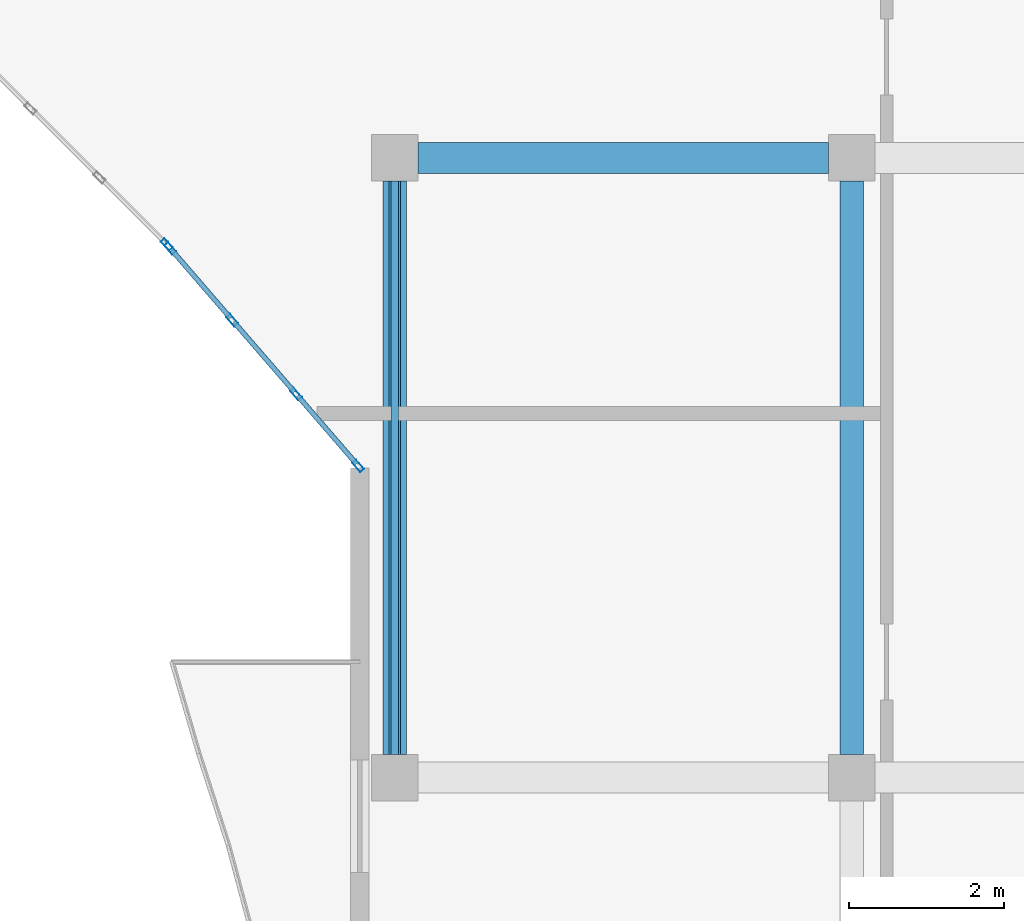
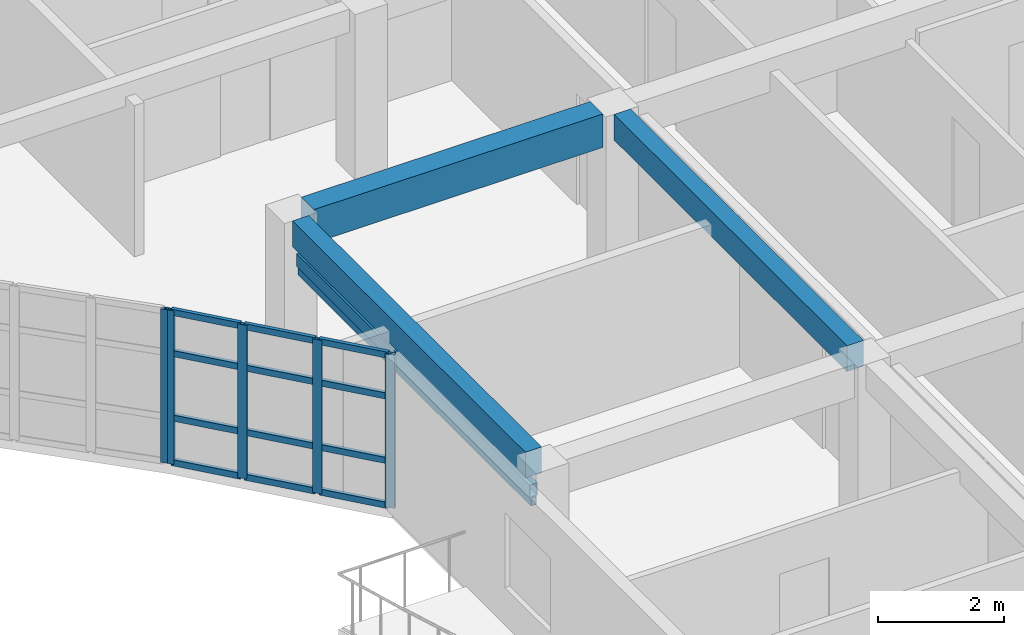
# One storey, part 20 of 79: 19 members, 3 beams, 2 elements without a shape of their own.
"""IFC4 building model written with IfcOpenShell, lengths in metres."""

from ifc_helpers import new_model, si_unit, direction, frame, origin, origin_2d, place, context, subcontext, project, spatial, rectangle, hollow_rectangle, extrude, material, layer, layer_set, material_profile, profile_set, type_object, element, aggregate, save


model = new_model("IFC4")

# Units and contexts
model_context = context("Model", 3, precision=1e-05, world=origin(), true_north=direction((0.0, 1.0)))
body_context = subcontext(model_context, "Body", "Model", "MODEL_VIEW")
ifc_project = project(units=[si_unit("LENGTHUNIT", "METRE"), si_unit("AREAUNIT", "SQUARE_METRE"), si_unit("VOLUMEUNIT", "CUBIC_METRE"), si_unit("PLANEANGLEUNIT", "RADIAN"), si_unit("MASSUNIT", "GRAM", prefix="KILO")], contexts=[model_context])

# Site, building, storey
site_placement = place(None, origin())
site = spatial("IfcSite", under=ifc_project, at=site_placement, CompositionType="ELEMENT")
building_placement = place(site_placement, origin())
building = spatial("IfcBuilding", under=site, at=building_placement, Name="Keldmere Railside Commons", CompositionType="ELEMENT")
storey_placement = place(building_placement, frame((0.0, 0.0, 10.56005859375)))
storey = spatial("IfcBuildingStorey", under=building, at=storey_placement, Name="L03", CompositionType="ELEMENT", Elevation=10.56005859375)

# Member
ifc_material_1 = material(Name="Steel F-36 (S355)", Category="steel")
ifc_material_profile_1 = material_profile(ifc_material_1, hollow_rectangle(XDim=0.14990234375, YDim=0.25, WallThickness=0.010009765625, at=origin_2d()), Name="RHS-250x150x10")
ifc_profile_set_1 = profile_set([ifc_material_profile_1], Name="Steel F-36 (S355)")
member_type_1 = type_object("IfcMemberType", Name="Balcony Continuous Planted Trough RHS250x150", PredefinedType="CHORD", material=ifc_profile_set_1)
member_1_placement = place(storey_placement, frame((104.449951171875, 88.300048828125, 2.4150390625), z_axis=(0.0, 1.0, 0.0), x_axis=(-1.0, 0.0, 0.0)))
element("IfcMember", 1, at=member_1_placement, inside=storey, type_object=member_type_1, Name="PLT-1 MEM-BPLT-0405", PredefinedType="CHORD", context=body_context, shape_type="SweptSolid", body=[
    extrude(hollow_rectangle(XDim=0.14990234375, YDim=0.25, WallThickness=0.010009765625, at=origin_2d()), origin(), (0.0, 0.0, 1.0), 7.39990234375),
])

# Beams
ifc_material_2 = material(Name="Concrete H-30 (C30/37)", Category="concrete")
ifc_material_profile_2 = material_profile(ifc_material_2, rectangle(XDim=0.39990234375, YDim=0.64990234375, at=origin_2d()), Name="RC-400x650")
ifc_profile_set_2 = profile_set([ifc_material_profile_2], Name="Concrete H-30 (C30/37)")
beam_type_1 = type_object("IfcBeamType", Name="Residential Spine RC Girder 400x650", PredefinedType="BEAM", material=ifc_profile_set_2)
beam_placement = place(storey_placement, frame((104.75, 96.0, 2.875), z_axis=(1.0, 0.0, 0.0), x_axis=(0.0, 1.0, 0.0)))
element("IfcBeam", 2, at=beam_placement, inside=storey, type_object=beam_type_1, Name="BG-3 BM-L03-1365", PredefinedType="BEAM", context=body_context, shape_type="SweptSolid", body=[
    extrude(rectangle(XDim=0.39990234375, YDim=0.64990234375, at=origin_2d()), origin(), (0.0, 0.0, 1.0), 5.300048828125),
])
ifc_material_profile_3 = material_profile(ifc_material_2, rectangle(XDim=0.300048828125, YDim=0.5, at=origin_2d()), Name="RC-300x500")
ifc_profile_set_3 = profile_set([ifc_material_profile_3], Name="Concrete H-30 (C30/37)")
beam_type_2 = type_object("IfcBeamType", Name="Secondary Frame RC Beam 300x500", PredefinedType="BEAM", material=ifc_profile_set_3)
for number, where, z_axis, x_axis, name in (
    (3, (104.449951171875, 88.300048828125, 2.949951171875), (0.0, 1.0, 0.0), (-1.0, 0.0, 0.0), "BG-5 BM-L03-1466"),
    (4, (110.35009765625, 88.300048828125, 2.949951171875), (0.0, 1.0, 0.0), (-1.0, 0.0, 0.0), "BG-5 BM-L03-1473"),
):
    element("IfcBeam", number, at=place(storey_placement, frame(where, z_axis=z_axis, x_axis=x_axis)), inside=storey, type_object=beam_type_2, Name=name, PredefinedType="BEAM", context=body_context, shape_type="SweptSolid", body=[
        extrude(rectangle(XDim=0.300048828125, YDim=0.5, at=origin_2d()), origin(), (0.0, 0.0, 1.0), 7.39990234375),
    ])

# Member
ifc_material_profile_4 = material_profile(ifc_material_1, hollow_rectangle(XDim=0.10009765625, YDim=0.159912109375, WallThickness=0.008056640625, at=origin_2d()), Name="RHS-160x100x8")
ifc_profile_set_4 = profile_set([ifc_material_profile_4], Name="Steel F-36 (S355)")
member_type_2 = type_object("IfcMemberType", Name="Solar Brise-Soleil Louvre Fin RHS160x100", PredefinedType="STRUT", material=ifc_profile_set_4)
member_2_placement = place(storey_placement, frame((104.449951171875, 88.300048828125, 2.199951171875), z_axis=(0.0, 1.0, 0.0), x_axis=(-1.0, 0.0, 0.0)))
element("IfcMember", 5, at=member_2_placement, inside=storey, type_object=member_type_2, Name="BSF-1 MEM-BSF-0406", PredefinedType="STRUT", context=body_context, shape_type="SweptSolid", body=[
    extrude(hollow_rectangle(XDim=0.10009765625, YDim=0.159912109375, WallThickness=0.008056640625, at=origin_2d()), origin(), (0.0, 0.0, 1.0), 7.39990234375),
])

# Curtain wall, member
ifc_material_3 = material(Name="Thermally Broken Aluminium", Category="aluminium")
ifc_layer_1 = layer(ifc_material_3, 0.159912109375, Name="Court Chord Wintergarden CW 5400x2850")
ifc_layer_set_1 = layer_set([ifc_layer_1], Name="Thermally Broken Aluminium")
curtain_wall_type_1 = type_object("IfcCurtainWallType", Name="Court Chord Wintergarden CW 5400x2850", PredefinedType="NOTDEFINED", material=ifc_layer_set_1)
curtain_wall_1_placement = place(storey_placement, origin())
curtain_wall_1 = element("IfcCurtainWall", 6, at=curtain_wall_1_placement, inside=storey, type_object=curtain_wall_type_1, Name="CW-13 CW-L03-107", PredefinedType="NOTDEFINED")
ifc_material_profile_5 = material_profile(ifc_material_3, hollow_rectangle(XDim=0.06494140625, YDim=0.159912109375, WallThickness=0.00390625, at=origin_2d()), Name="ALU-MULL-65x160")
ifc_profile_set_5 = profile_set([ifc_material_profile_5], Name="Thermally Broken Aluminium")
member_type_3 = type_object("IfcMemberType", Name="Unitised Curtain Wall Mullion 65x160", PredefinedType="MULLION", material=ifc_profile_set_5)
member_3_placement = place(storey_placement, frame((101.507080078125, 94.880859375, 0.0), z_axis=(0.0, 0.0, 1.0), x_axis=(-0.707106781187, -0.707106781187, 0.0)))
member_3 = element("IfcMember", 7, at=member_3_placement, type_object=member_type_3, Name="CW-13 mullion 1", PredefinedType="MULLION", context=body_context, shape_type="SweptSolid", body=[
    extrude(hollow_rectangle(XDim=0.06494140625, YDim=0.159912109375, WallThickness=0.00390625, at=origin_2d()), origin(), (0.0, 0.0, 1.0), 2.97998046875),
])
aggregate(curtain_wall_1, [member_3])

# Curtain wall, members
ifc_layer_2 = layer(ifc_material_3, 0.159912109375, Name="Court Chord Wintergarden CW 4800x2850")
ifc_layer_set_2 = layer_set([ifc_layer_2], Name="Thermally Broken Aluminium")
curtain_wall_type_2 = type_object("IfcCurtainWallType", Name="Court Chord Wintergarden CW 4800x2850", PredefinedType="NOTDEFINED", material=ifc_layer_set_2)
curtain_wall_2_placement = place(storey_placement, origin())
curtain_wall_2 = element("IfcCurtainWall", 8, at=curtain_wall_2_placement, inside=storey, type_object=curtain_wall_type_2, Name="CW-12 CW-L03-108", PredefinedType="NOTDEFINED")
member_4_placement = place(storey_placement, frame((103.978759765625, 92.024658203125, 0.0), z_axis=(0.0, 0.0, 1.0), x_axis=(-0.756596767584, -0.653881741053, 0.0)))
member_4 = element("IfcMember", 9, at=member_4_placement, type_object=member_type_3, Name="CW-12 mullion 1", PredefinedType="MULLION", context=body_context, shape_type="SweptSolid", body=[
    extrude(hollow_rectangle(XDim=0.06494140625, YDim=0.159912109375, WallThickness=0.00390625, at=origin_2d()), origin(), (0.0, 0.0, 1.0), 2.97998046875),
])
member_5_placement = place(storey_placement, frame((103.1767578125, 92.95263671875, 0.0), z_axis=(0.0, 0.0, 1.0), x_axis=(-0.756596767584, -0.653881741053, 0.0)))
member_5 = element("IfcMember", 10, at=member_5_placement, type_object=member_type_3, Name="CW-12 mullion 2", PredefinedType="MULLION", context=body_context, shape_type="SweptSolid", body=[
    extrude(hollow_rectangle(XDim=0.06494140625, YDim=0.159912109375, WallThickness=0.00390625, at=origin_2d()), origin(), (0.0, 0.0, 1.0), 2.97998046875),
])
member_6_placement = place(storey_placement, frame((102.353271484375, 93.9052734375, 0.0), z_axis=(0.0, 0.0, 1.0), x_axis=(-0.756596767584, -0.653881741053, 0.0)))
member_6 = element("IfcMember", 11, at=member_6_placement, type_object=member_type_3, Name="CW-12 mullion 3", PredefinedType="MULLION", context=body_context, shape_type="SweptSolid", body=[
    extrude(hollow_rectangle(XDim=0.06494140625, YDim=0.159912109375, WallThickness=0.00390625, at=origin_2d()), origin(), (0.0, 0.0, 1.0), 2.97998046875),
])
member_7_placement = place(storey_placement, frame((101.55126953125, 94.83349609375, 0.0), z_axis=(0.0, 0.0, 1.0), x_axis=(-0.756596767584, -0.653881741053, 0.0)))
member_7 = element("IfcMember", 12, at=member_7_placement, type_object=member_type_3, Name="CW-12 mullion 4", PredefinedType="MULLION", context=body_context, shape_type="SweptSolid", body=[
    extrude(hollow_rectangle(XDim=0.06494140625, YDim=0.159912109375, WallThickness=0.00390625, at=origin_2d()), origin(), (0.0, 0.0, 1.0), 2.97998046875),
])
ifc_material_profile_6 = material_profile(ifc_material_3, hollow_rectangle(XDim=0.06494140625, YDim=0.1201171875, WallThickness=0.00390625, at=origin_2d()), Name="ALU-TRAN-65x120")
ifc_profile_set_6 = profile_set([ifc_material_profile_6], Name="Thermally Broken Aluminium")
member_type_4 = type_object("IfcMemberType", Name="Unitised Curtain Wall Transom 65x120", PredefinedType="USERDEFINED", material=ifc_profile_set_6)
member_8_placement = place(storey_placement, frame((103.95751953125, 92.049072265625, 0.032470703125), z_axis=(-0.653849663033, 0.756624489527, 0.0), x_axis=(-0.756624489527, -0.653849663033, 0.0)))
member_8 = element("IfcMember", 13, at=member_8_placement, type_object=member_type_4, Name="CW-12 transom 1.1", ObjectType="TRANSOM", PredefinedType="USERDEFINED", context=body_context, shape_type="SweptSolid", body=[
    extrude(hollow_rectangle(XDim=0.06494140625, YDim=0.1201171875, WallThickness=0.00390625, at=origin_2d()), origin(), (0.0, 0.0, 1.0), 1.16162109375),
])
member_9_placement = place(storey_placement, frame((103.95751953125, 92.049072265625, 0.89990234375), z_axis=(-0.653849663033, 0.756624489527, 0.0), x_axis=(-0.756624489527, -0.653849663033, 0.0)))
member_9 = element("IfcMember", 14, at=member_9_placement, type_object=member_type_4, Name="CW-12 transom 1.2", ObjectType="TRANSOM", PredefinedType="USERDEFINED", context=body_context, shape_type="SweptSolid", body=[
    extrude(hollow_rectangle(XDim=0.06494140625, YDim=0.1201171875, WallThickness=0.00390625, at=origin_2d()), origin(), (0.0, 0.0, 1.0), 1.16162109375),
])
member_10_placement = place(storey_placement, frame((103.95751953125, 92.049072265625, 2.14990234375), z_axis=(-0.653849663033, 0.756624489527, 0.0), x_axis=(-0.756624489527, -0.653849663033, 0.0)))
member_10 = element("IfcMember", 15, at=member_10_placement, type_object=member_type_4, Name="CW-12 transom 1.3", ObjectType="TRANSOM", PredefinedType="USERDEFINED", context=body_context, shape_type="SweptSolid", body=[
    extrude(hollow_rectangle(XDim=0.06494140625, YDim=0.1201171875, WallThickness=0.00390625, at=origin_2d()), origin(), (0.0, 0.0, 1.0), 1.16162109375),
])
member_11_placement = place(storey_placement, frame((103.95751953125, 92.049072265625, 2.947509765625), z_axis=(-0.653849663033, 0.756624489527, 0.0), x_axis=(-0.756624489527, -0.653849663033, 0.0)))
member_11 = element("IfcMember", 16, at=member_11_placement, type_object=member_type_4, Name="CW-12 transom 1.4", ObjectType="TRANSOM", PredefinedType="USERDEFINED", context=body_context, shape_type="SweptSolid", body=[
    extrude(hollow_rectangle(XDim=0.06494140625, YDim=0.1201171875, WallThickness=0.00390625, at=origin_2d()), origin(), (0.0, 0.0, 1.0), 1.16162109375),
])
member_12_placement = place(storey_placement, frame((103.155517578125, 92.977294921875, 0.032470703125), z_axis=(-0.653933819796, 0.756551755881, 0.0), x_axis=(-0.756551755881, -0.653933819796, 0.0)))
member_12 = element("IfcMember", 17, at=member_12_placement, type_object=member_type_4, Name="CW-12 transom 2.1", ObjectType="TRANSOM", PredefinedType="USERDEFINED", context=body_context, shape_type="SweptSolid", body=[
    extrude(hollow_rectangle(XDim=0.06494140625, YDim=0.1201171875, WallThickness=0.00390625, at=origin_2d()), origin(), (0.0, 0.0, 1.0), 1.1943359375),
])
member_13_placement = place(storey_placement, frame((103.155517578125, 92.977294921875, 0.89990234375), z_axis=(-0.653933819796, 0.756551755881, 0.0), x_axis=(-0.756551755881, -0.653933819796, 0.0)))
member_13 = element("IfcMember", 18, at=member_13_placement, type_object=member_type_4, Name="CW-12 transom 2.2", ObjectType="TRANSOM", PredefinedType="USERDEFINED", context=body_context, shape_type="SweptSolid", body=[
    extrude(hollow_rectangle(XDim=0.06494140625, YDim=0.1201171875, WallThickness=0.00390625, at=origin_2d()), origin(), (0.0, 0.0, 1.0), 1.1943359375),
])
member_14_placement = place(storey_placement, frame((103.155517578125, 92.977294921875, 2.14990234375), z_axis=(-0.653933819796, 0.756551755881, 0.0), x_axis=(-0.756551755881, -0.653933819796, 0.0)))
member_14 = element("IfcMember", 19, at=member_14_placement, type_object=member_type_4, Name="CW-12 transom 2.3", ObjectType="TRANSOM", PredefinedType="USERDEFINED", context=body_context, shape_type="SweptSolid", body=[
    extrude(hollow_rectangle(XDim=0.06494140625, YDim=0.1201171875, WallThickness=0.00390625, at=origin_2d()), origin(), (0.0, 0.0, 1.0), 1.1943359375),
])
member_15_placement = place(storey_placement, frame((103.155517578125, 92.977294921875, 2.947509765625), z_axis=(-0.653933819796, 0.756551755881, 0.0), x_axis=(-0.756551755881, -0.653933819796, 0.0)))
member_15 = element("IfcMember", 20, at=member_15_placement, type_object=member_type_4, Name="CW-12 transom 2.4", ObjectType="TRANSOM", PredefinedType="USERDEFINED", context=body_context, shape_type="SweptSolid", body=[
    extrude(hollow_rectangle(XDim=0.06494140625, YDim=0.1201171875, WallThickness=0.00390625, at=origin_2d()), origin(), (0.0, 0.0, 1.0), 1.1943359375),
])
member_16_placement = place(storey_placement, frame((102.33203125, 93.929931640625, 0.032470703125), z_axis=(-0.653849663033, 0.756624489527, 0.0), x_axis=(-0.756624489527, -0.653849663033, 0.0)))
member_16 = element("IfcMember", 21, at=member_16_placement, type_object=member_type_4, Name="CW-12 transom 3.1", ObjectType="TRANSOM", PredefinedType="USERDEFINED", context=body_context, shape_type="SweptSolid", body=[
    extrude(hollow_rectangle(XDim=0.06494140625, YDim=0.1201171875, WallThickness=0.00390625, at=origin_2d()), origin(), (0.0, 0.0, 1.0), 1.16162109375),
])
member_17_placement = place(storey_placement, frame((102.33203125, 93.929931640625, 0.89990234375), z_axis=(-0.653849663033, 0.756624489527, 0.0), x_axis=(-0.756624489527, -0.653849663033, 0.0)))
member_17 = element("IfcMember", 22, at=member_17_placement, type_object=member_type_4, Name="CW-12 transom 3.2", ObjectType="TRANSOM", PredefinedType="USERDEFINED", context=body_context, shape_type="SweptSolid", body=[
    extrude(hollow_rectangle(XDim=0.06494140625, YDim=0.1201171875, WallThickness=0.00390625, at=origin_2d()), origin(), (0.0, 0.0, 1.0), 1.16162109375),
])
member_18_placement = place(storey_placement, frame((102.33203125, 93.929931640625, 2.14990234375), z_axis=(-0.653849663033, 0.756624489527, 0.0), x_axis=(-0.756624489527, -0.653849663033, 0.0)))
member_18 = element("IfcMember", 23, at=member_18_placement, type_object=member_type_4, Name="CW-12 transom 3.3", ObjectType="TRANSOM", PredefinedType="USERDEFINED", context=body_context, shape_type="SweptSolid", body=[
    extrude(hollow_rectangle(XDim=0.06494140625, YDim=0.1201171875, WallThickness=0.00390625, at=origin_2d()), origin(), (0.0, 0.0, 1.0), 1.16162109375),
])
member_19_placement = place(storey_placement, frame((102.33203125, 93.929931640625, 2.947509765625), z_axis=(-0.653849663033, 0.756624489527, 0.0), x_axis=(-0.756624489527, -0.653849663033, 0.0)))
member_19 = element("IfcMember", 24, at=member_19_placement, type_object=member_type_4, Name="CW-12 transom 3.4", ObjectType="TRANSOM", PredefinedType="USERDEFINED", context=body_context, shape_type="SweptSolid", body=[
    extrude(hollow_rectangle(XDim=0.06494140625, YDim=0.1201171875, WallThickness=0.00390625, at=origin_2d()), origin(), (0.0, 0.0, 1.0), 1.16162109375),
])
aggregate(curtain_wall_2, [member_4, member_5, member_6, member_7, member_8, member_9, member_10, member_11, member_12, member_13, member_14, member_15, member_16, member_17, member_18, member_19])

save(model, "model.ifc")
